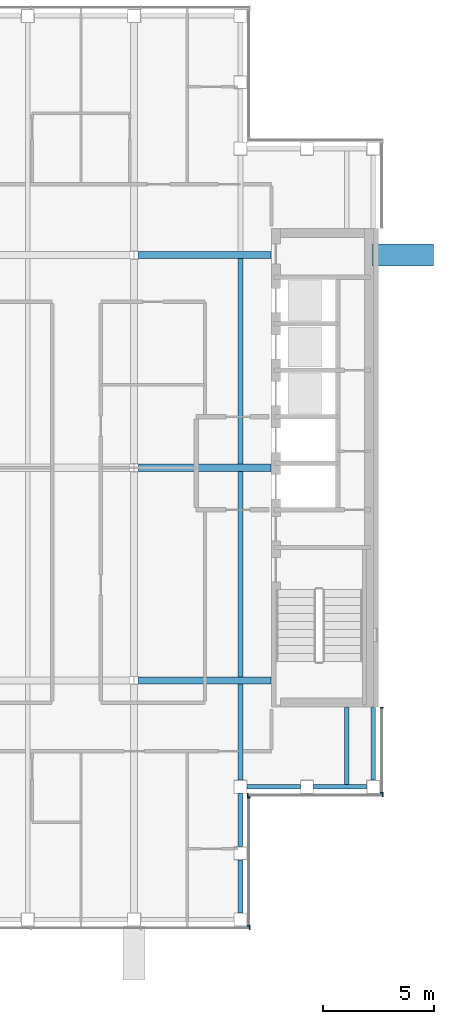
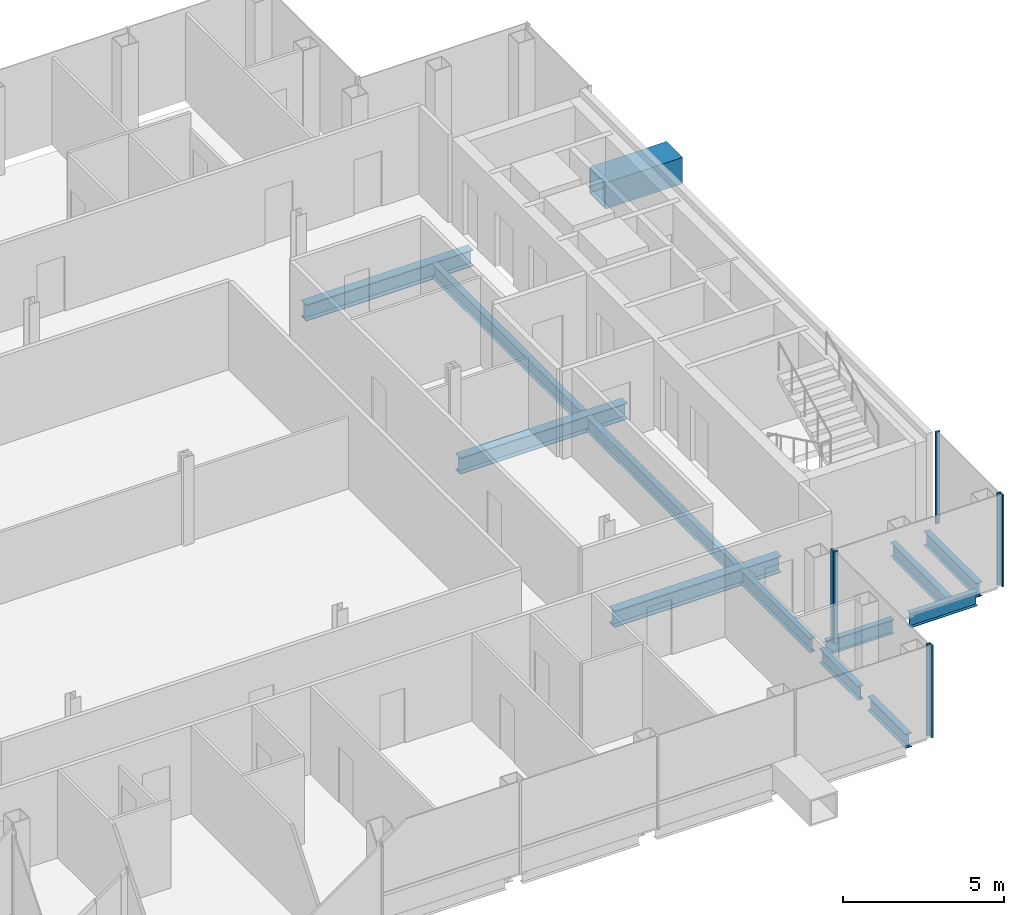
# One storey, part 6 of 15: 13 beams, 7 members, 4 elements without a shape of their own.
"""IFC4 building model written with IfcOpenShell, lengths in metres."""

import ifcopenshell
import ifcopenshell.guid

model = None  # the IFC model being written
_history = None  # IfcOwnerHistory: only IFC2X3 demands one
_inside = {}  # id of a spatial element -> (the spatial element, [elements in it])
_under = {}  # id of a project, library or spatial element -> (it, [spatial elements below it])
_declared = {}  # id of a project -> (the project, [libraries it declares])
_typed = {}  # id of a type object -> (the type object, [elements of that type])
_made_of = {}  # id of a material, layer set ... -> (it, [elements and type objects made of it])


def new_model(schema):
    """Start an empty IFC model of exactly this schema.

    Asked for "IFC4X3", IfcOpenShell would pick the latest addendum, in which some entities
    have other attributes; the version numbers below select the first issue.
    IFC2X3 requires an IfcOwnerHistory on every rooted entity: one is made here for all.
    """
    global model, _history
    if schema == "IFC4X3":
        model = ifcopenshell.file(schema_version=(4, 3, 0, 0))
    else:
        model = ifcopenshell.file(schema=schema)
    _inside.clear()
    _under.clear()
    _declared.clear()
    _typed.clear()
    _made_of.clear()
    _history = None
    if model.schema == "IFC2X3":
        org = make("IfcOrganization", Name="unknown")
        user = make(
            "IfcPersonAndOrganization",
            ThePerson=make("IfcPerson", FamilyName="unknown"),
            TheOrganization=org,
        )
        app = make(
            "IfcApplication",
            ApplicationDeveloper=org,
            Version="unknown",
            ApplicationFullName="unknown",
            ApplicationIdentifier="unknown",
        )
        _history = make(
            "IfcOwnerHistory",
            OwningUser=user,
            OwningApplication=app,
            ChangeAction="ADDED",
            CreationDate=0,
        )
    return model


def make(cls, **values):
    """One entity of the class cls with the attributes given. An attribute that is None is left unset."""
    return model.create_entity(
        cls, **{name: value for name, value in values.items() if value is not None}
    )


def rooted(cls, **values):
    """An entity with a GlobalId (a new one), such as an element, a storey or a relation."""
    return make(cls, GlobalId=ifcopenshell.guid.new(), OwnerHistory=_history, **values)


def si_unit(unit_type, name, prefix=None):
    """IfcSIUnit, for example si_unit("LENGTHUNIT", "METRE", prefix="MILLI")."""
    return make("IfcSIUnit", UnitType=unit_type, Prefix=prefix, Name=name)


def assignment(units):
    """IfcUnitAssignment: the units of a project."""
    return None if units is None else make("IfcUnitAssignment", Units=units)


def point(xyz):
    """IfcCartesianPoint."""
    return None if xyz is None else make("IfcCartesianPoint", Coordinates=xyz)


def direction(xyz):
    """IfcDirection."""
    return None if xyz is None else make("IfcDirection", DirectionRatios=xyz)


def frame(location, z_axis=None, x_axis=None):
    """IfcAxis2Placement3D, a coordinate frame: its origin and axes. An axis left out is left unset."""
    return make(
        "IfcAxis2Placement3D",
        Location=point(location),
        Axis=direction(z_axis),
        RefDirection=direction(x_axis),
    )


def frame_2d(location, x_axis=None):
    """IfcAxis2Placement2D, a coordinate frame in the plane: its origin and x axis."""
    return make(
        "IfcAxis2Placement2D", Location=point(location), RefDirection=direction(x_axis)
    )


def origin():
    """The frame at (0, 0, 0) with its axes left unset."""
    return frame((0.0, 0.0, 0.0))


def origin_2d():
    """The frame at (0, 0) in the plane with its x axis left unset."""
    return frame_2d((0.0, 0.0))


def place(relative_to, where):
    """IfcLocalPlacement: puts the frame where relative to a parent placement (None: the world)."""
    return make(
        "IfcLocalPlacement", PlacementRelTo=relative_to, RelativePlacement=where
    )


def context(
    kind, dimensions, precision=None, world=None, true_north=None, identifier=None
):
    """IfcGeometricRepresentationContext, for example the 3D "Model" context."""
    return make(
        "IfcGeometricRepresentationContext",
        ContextIdentifier=identifier,
        ContextType=kind,
        CoordinateSpaceDimension=dimensions,
        Precision=precision,
        WorldCoordinateSystem=world,
        TrueNorth=true_north,
    )


def subcontext(parent, identifier, kind, view, scale=None):
    """IfcGeometricRepresentationSubContext, for example "Body" below "Model"."""
    return make(
        "IfcGeometricRepresentationSubContext",
        ContextIdentifier=identifier,
        ContextType=kind,
        ParentContext=parent,
        TargetScale=scale,
        TargetView=view,
    )


def project(units=None, contexts=None):
    """IfcProject with its units and contexts."""
    return rooted(
        "IfcProject",
        Name="project",
        RepresentationContexts=contexts,
        UnitsInContext=assignment(units),
    )


def spatial(cls, under=None, at=None, **own):
    """A site, building, storey or space (cls), placed at a placement, below another one or the project."""
    s = rooted(cls, ObjectPlacement=at, **own)
    if under is not None:
        _under.setdefault(under.id(), (under, []))[1].append(s)
    return s


def profile(cls, at=None, kind="AREA", **sizes):
    """A parametric profile (cls). Its sizes go by their IFC names, for example OverallWidth=200.0."""
    return make(cls, ProfileType=kind, Position=at, **sizes)


def rectangle(**sizes):
    """IfcRectangleProfileDef."""
    return profile("IfcRectangleProfileDef", **sizes)


def hollow_rectangle(**sizes):
    """IfcRectangleHollowProfileDef."""
    return profile("IfcRectangleHollowProfileDef", **sizes)


def i_section(**sizes):
    """IfcIShapeProfileDef."""
    return profile("IfcIShapeProfileDef", **sizes)


def extrude(swept, where, along, depth):
    """IfcExtrudedAreaSolid: the profile swept, set in the frame where, extruded along a direction by depth."""
    return make(
        "IfcExtrudedAreaSolid",
        SweptArea=swept,
        Position=where,
        ExtrudedDirection=direction(along),
        Depth=depth,
    )


def shape(context_of_items, identifier, shape_type, items):
    """IfcShapeRepresentation: the items that make up one representation, for example the "Body"."""
    return make(
        "IfcShapeRepresentation",
        ContextOfItems=context_of_items,
        RepresentationIdentifier=identifier,
        RepresentationType=shape_type,
        Items=items,
    )


def material(Name=None, Category=None):
    """IfcMaterial."""
    return make("IfcMaterial", Name=Name, Category=Category)


def material_profile(
    of_material, cross_section, Name=None, Category=None, Priority=None
):
    """IfcMaterialProfile: a cross section and its material."""
    return make(
        "IfcMaterialProfile",
        Name=Name,
        Material=of_material,
        Profile=cross_section,
        Priority=Priority,
        Category=Category,
    )


def profile_set(profiles, Name=None, composite=None):
    """IfcMaterialProfileSet."""
    return make(
        "IfcMaterialProfileSet",
        Name=Name,
        MaterialProfiles=profiles,
        CompositeProfile=composite,
    )


def made_of(thing, what):
    """Note that an element or type object is made of a material, layer set ...; save() writes the relation."""
    if what is not None:
        _made_of.setdefault(what.id(), (what, []))[1].append(thing)
    return thing


def type_object(cls, material=None, **own):
    """A type object (cls), such as IfcWallType, which elements share."""
    return made_of(rooted(cls, **own), material)


def element(
    cls,
    number,
    at=None,
    inside=None,
    cuts=None,
    type_object=None,
    material=None,
    context=None,
    identifier="Body",
    shape_type=None,
    held_by="IfcProductDefinitionShape",
    body=None,
    shapes=None,
    **own,
):
    """One element of the class cls, such as IfcWall. Its Tag is "e" and its number.

    at: its placement. inside: the storey or other place that contains it. cuts: it is an
    opening in that element (IfcRelVoidsElement). A single representation is given by context,
    identifier, shape_type and body (its items); several are given by shapes. held_by: the class
    of the entity that holds the representations. save() writes the other relations.
    """
    e = rooted(cls, Tag="e%d" % number, ObjectPlacement=at, **own)
    if body is not None:
        shapes = [shape(context, identifier, shape_type, body)]
    if shapes is not None:
        e.Representation = make(held_by, Representations=shapes)
    if inside is not None:
        _inside.setdefault(inside.id(), (inside, []))[1].append(e)
    if cuts is not None:
        rooted(
            "IfcRelVoidsElement", RelatingBuildingElement=cuts, RelatedOpeningElement=e
        )
    if type_object is not None:
        _typed.setdefault(type_object.id(), (type_object, []))[1].append(e)
    return made_of(e, material)


def aggregate(whole, parts):
    """IfcRelAggregates: a whole, such as a stair, and the parts it consists of."""
    return rooted("IfcRelAggregates", RelatingObject=whole, RelatedObjects=parts)


def save(model, path):
    """Write the relations noted so far, then the file.

    IfcRelAggregates (storeys below a building ...), IfcRelContainedInSpatialStructure (elements
    in a storey), IfcRelDefinesByType, IfcRelAssociatesMaterial and IfcRelDeclares: one each for
    every whole, place, type object, material and project.
    """
    for whole, parts in _under.values():
        aggregate(whole, parts)
    for where, things in _inside.values():
        rooted(
            "IfcRelContainedInSpatialStructure",
            RelatedElements=things,
            RelatingStructure=where,
        )
    for kind, things in _typed.values():
        rooted("IfcRelDefinesByType", RelatedObjects=things, RelatingType=kind)
    for what, things in _made_of.values():
        rooted("IfcRelAssociatesMaterial", RelatedObjects=things, RelatingMaterial=what)
    for by, libraries in _declared.values():
        rooted("IfcRelDeclares", RelatingContext=by, RelatedDefinitions=libraries)
    model.write(path)


model = new_model("IFC4")

# Units and contexts
model_context = context("Model", 3, precision=1e-05, world=origin(), true_north=direction((0.0, 1.0)))
body_context = subcontext(model_context, "Body", "Model", "MODEL_VIEW")
ifc_project = project(units=[si_unit("LENGTHUNIT", "METRE"), si_unit("AREAUNIT", "SQUARE_METRE"), si_unit("VOLUMEUNIT", "CUBIC_METRE"), si_unit("PLANEANGLEUNIT", "RADIAN"), si_unit("MASSUNIT", "GRAM", prefix="KILO")], contexts=[model_context])

# Site, building, storey
site_placement = place(None, origin())
site = spatial("IfcSite", under=ifc_project, at=site_placement, CompositionType="ELEMENT")
building_placement = place(site_placement, origin())
building = spatial("IfcBuilding", under=site, at=building_placement, Name="Cobrizo Arcos Hotel Tower", CompositionType="ELEMENT")
storey_placement = place(building_placement, frame((0.0, 0.0, 258.5)))
storey = spatial("IfcBuildingStorey", under=building, at=storey_placement, Name="L68", CompositionType="ELEMENT", Elevation=258.5)

# Beam
ifc_material_1 = material(Name="Steel ASTM A572 Grade 50", Category="steel")
ifc_material_profile_1 = material_profile(ifc_material_1, hollow_rectangle(XDim=1.0, YDim=1.0, WallThickness=0.06005859375, at=origin_2d()), Name="BOX 1000X1000X60")
ifc_profile_set_1 = profile_set([ifc_material_profile_1], Name="Steel ASTM A572 Grade 50")
beam_type_1 = type_object("IfcBeamType", Name="BOX 1000X1000X60 brace connector strut", PredefinedType="BEAM", material=ifc_profile_set_1)
beam_1_placement = place(storey_placement, frame((20.35009765625, 9.60009765625, 0.5), z_axis=(1.0, 0.0, 0.0), x_axis=(0.0, 1.0, 0.0)))
element("IfcBeam", 1, at=beam_1_placement, inside=storey, type_object=beam_type_1, Name="Perimeter brace stub BS1, zone Z5, east face, offset +9.60 m, L68", PredefinedType="BEAM", context=body_context, shape_type="SweptSolid", body=[
    extrude(hollow_rectangle(XDim=1.0, YDim=1.0, WallThickness=0.06005859375, at=origin_2d()), origin(), (0.0, 0.0, 1.0), 2.77001953125),
])

# Curtain wall, member
ifc_material_2 = material(Name="Aluminium 6063-T6 anodised bronze", Category="aluminium")
curtain_wall_type = type_object("IfcCurtainWallType", Name="CW-A guest facade", PredefinedType="NOTDEFINED", material=ifc_material_2)
curtain_wall_1_placement = place(storey_placement, origin())
curtain_wall_1 = element("IfcCurtainWall", 2, at=curtain_wall_1_placement, inside=storey, type_object=curtain_wall_type, Name="CW-A L68 S face", PredefinedType="NOTDEFINED")
ifc_material_profile_2 = material_profile(ifc_material_2, rectangle(XDim=0.14990234375, YDim=0.06005859375, at=origin_2d()), Name="CW-A mullion 150x60")
ifc_profile_set_2 = profile_set([ifc_material_profile_2], Name="Aluminium 6063-T6 anodised bronze")
member_type = type_object("IfcMemberType", Name="CW-A mullion 150x60", PredefinedType="MULLION", material=ifc_profile_set_2)
member_1_placement = place(storey_placement, frame((14.820068359375, -20.77490234375, 0.0), z_axis=(0.0, 0.0, 1.0), x_axis=(0.0, -1.0, 0.0)))
member_1 = element("IfcMember", 3, at=member_1_placement, type_object=member_type, Name="CW-A mullion 7", PredefinedType="MULLION", context=body_context, shape_type="SweptSolid", body=[
    extrude(rectangle(XDim=0.14990234375, YDim=0.06005859375, at=origin_2d()), origin(), (0.0, 0.0, 1.0), 3.5),
])
aggregate(curtain_wall_1, [member_1])

# Curtain wall, members
curtain_wall_2_placement = place(storey_placement, origin())
curtain_wall_2 = element("IfcCurtainWall", 4, at=curtain_wall_2_placement, inside=storey, type_object=curtain_wall_type, Name="CW-A L68 E face", PredefinedType="NOTDEFINED")
member_2_placement = place(storey_placement, frame((14.77490234375, -20.669921875, 0.0), z_axis=(0.0, 0.0, 1.0), x_axis=(1.0, 0.0, 0.0)))
member_2 = element("IfcMember", 5, at=member_2_placement, type_object=member_type, Name="CW-A mullion 1", PredefinedType="MULLION", context=body_context, shape_type="SweptSolid", body=[
    extrude(rectangle(XDim=0.14990234375, YDim=0.06005859375, at=origin_2d()), origin(), (0.0, 0.0, 1.0), 3.5),
])
member_3_placement = place(storey_placement, frame((14.77490234375, -14.8798828125, 0.0), z_axis=(0.0, 0.0, 1.0), x_axis=(1.0, 0.0, 0.0)))
member_3 = element("IfcMember", 6, at=member_3_placement, type_object=member_type, Name="CW-A mullion 2", PredefinedType="MULLION", context=body_context, shape_type="SweptSolid", body=[
    extrude(rectangle(XDim=0.14990234375, YDim=0.06005859375, at=origin_2d()), origin(), (0.0, 0.0, 1.0), 3.5),
])
aggregate(curtain_wall_2, [member_2, member_3])

curtain_wall_3_placement = place(storey_placement, origin())
curtain_wall_3 = element("IfcCurtainWall", 7, at=curtain_wall_3_placement, inside=storey, type_object=curtain_wall_type, Name="CW-A L68 S face", PredefinedType="NOTDEFINED")
member_4_placement = place(storey_placement, frame((14.72998046875, -14.77490234375, 0.0), z_axis=(0.0, 0.0, 1.0), x_axis=(0.0, -1.0, 0.0)))
member_4 = element("IfcMember", 8, at=member_4_placement, type_object=member_type, Name="CW-A mullion 1", PredefinedType="MULLION", context=body_context, shape_type="SweptSolid", body=[
    extrude(rectangle(XDim=0.14990234375, YDim=0.06005859375, at=origin_2d()), origin(), (0.0, 0.0, 1.0), 3.5),
])
member_5_placement = place(storey_placement, frame((20.820068359375, -14.77490234375, 0.0), z_axis=(0.0, 0.0, 1.0), x_axis=(0.0, -1.0, 0.0)))
member_5 = element("IfcMember", 9, at=member_5_placement, type_object=member_type, Name="CW-A mullion 2", PredefinedType="MULLION", context=body_context, shape_type="SweptSolid", body=[
    extrude(rectangle(XDim=0.14990234375, YDim=0.06005859375, at=origin_2d()), origin(), (0.0, 0.0, 1.0), 3.5),
])
aggregate(curtain_wall_3, [member_4, member_5])

curtain_wall_4_placement = place(storey_placement, origin())
curtain_wall_4 = element("IfcCurtainWall", 10, at=curtain_wall_4_placement, inside=storey, type_object=curtain_wall_type, Name="CW-A L68 E face", PredefinedType="NOTDEFINED")
member_6_placement = place(storey_placement, frame((20.77490234375, -14.669921875, 0.0), z_axis=(0.0, 0.0, 1.0), x_axis=(1.0, 0.0, 0.0)))
member_6 = element("IfcMember", 11, at=member_6_placement, type_object=member_type, Name="CW-A mullion 1", PredefinedType="MULLION", context=body_context, shape_type="SweptSolid", body=[
    extrude(rectangle(XDim=0.14990234375, YDim=0.06005859375, at=origin_2d()), origin(), (0.0, 0.0, 1.0), 3.5),
])
member_7_placement = place(storey_placement, frame((20.77490234375, -10.830078125, 0.0), z_axis=(0.0, 0.0, 1.0), x_axis=(1.0, 0.0, 0.0)))
member_7 = element("IfcMember", 12, at=member_7_placement, type_object=member_type, Name="CW-A mullion 2", PredefinedType="MULLION", context=body_context, shape_type="SweptSolid", body=[
    extrude(rectangle(XDim=0.14990234375, YDim=0.06005859375, at=origin_2d()), origin(), (0.0, 0.0, 1.0), 3.5),
])
aggregate(curtain_wall_4, [member_6, member_7])

# Beams
ifc_material_3 = material(Name="Steel ASTM A992 Grade 50", Category="steel")
ifc_material_profile_3 = material_profile(ifc_material_3, i_section(OverallWidth=0.209228515625, OverallDepth=0.533447265625, WebThickness=0.01025390625, FlangeThickness=0.015625, at=origin_2d()), Name="W21X62")
ifc_profile_set_3 = profile_set([ifc_material_profile_3], Name="Steel ASTM A992 Grade 50")
beam_type_2 = type_object("IfcBeamType", Name="W21X62 joist", PredefinedType="JOIST", material=ifc_profile_set_3)
beam_2_placement = place(storey_placement, frame((14.39990234375, -14.10009765625, -0.416748046875), z_axis=(0.0, 1.0, 0.0), x_axis=(-1.0, 0.0, 0.0)))
element("IfcBeam", 13, at=beam_2_placement, inside=storey, type_object=beam_type_2, Name="Floor joist J1, L68, no. 015", PredefinedType="JOIST", context=body_context, shape_type="SweptSolid", body=[
    extrude(i_section(OverallWidth=0.209228515625, OverallDepth=0.533447265625, WebThickness=0.01025390625, FlangeThickness=0.015625, at=origin_2d()), origin(), (0.0, 0.0, 1.0), 4.336181640625),
])
for number, where, z_axis, x_axis, name in (
    (14, (14.39990234375, -9.43603515625, -0.416748046875), (0.0, 1.0, 0.0), (-1.0, 0.0, 0.0), "Floor joist J1, L68, no. 016"),
    (15, (14.39990234375, 0.163818359375, -0.416748046875), (0.0, 1.0, 0.0), (-1.0, 0.0, 0.0), "Floor joist J1, L68, no. 017"),
):
    element("IfcBeam", number, at=place(storey_placement, frame(where, z_axis=z_axis, x_axis=x_axis)), inside=storey, type_object=beam_type_2, Name=name, PredefinedType="JOIST", context=body_context, shape_type="SweptSolid", body=[
        extrude(i_section(OverallWidth=0.209228515625, OverallDepth=0.533447265625, WebThickness=0.01025390625, FlangeThickness=0.015625, at=origin_2d()), origin(), (0.0, 0.0, 1.0), 9.272216796875),
    ])
beam_3_placement = place(storey_placement, frame((19.199951171875, -14.31005859375, -0.416748046875), z_axis=(0.0, 1.0, 0.0), x_axis=(-1.0, 0.0, 0.0)))
element("IfcBeam", 16, at=beam_3_placement, inside=storey, type_object=beam_type_2, Name="Floor joist J1, L68, no. 019", PredefinedType="JOIST", context=body_context, shape_type="SweptSolid", body=[
    extrude(i_section(OverallWidth=0.209228515625, OverallDepth=0.533447265625, WebThickness=0.01025390625, FlangeThickness=0.015625, at=origin_2d()), origin(), (0.0, 0.0, 1.0), 3.5),
])
ifc_material_profile_4 = material_profile(ifc_material_3, i_section(OverallWidth=0.209228515625, OverallDepth=0.533447265625, WebThickness=0.01025390625, FlangeThickness=0.015625, at=origin_2d()), Name="W21X62")
ifc_profile_set_4 = profile_set([ifc_material_profile_4], Name="Steel ASTM A992 Grade 50")
beam_type_3 = type_object("IfcBeamType", Name="W21X62 spandrel", PredefinedType="SPANDREL", material=ifc_profile_set_4)
for number, where, z_axis, x_axis, name in (
    (17, (14.39990234375, -20.10009765625, -0.416748046875), (0.0, 1.0, 0.0), (-1.0, 0.0, 0.0), "Spandrel beam W21X62, L68, no. 007"),
    (18, (14.39990234375, -17.10009765625, -0.416748046875), (0.0, 1.0, 0.0), (-1.0, 0.0, 0.0), "Spandrel beam W21X62, L68, no. 008"),
    (19, (14.699951171875, -14.39990234375, -0.416748046875), (1.0, 0.0, 0.0), (0.0, 1.0, 0.0), "Spandrel beam W21X62, L68, no. 009"),
    (20, (17.699951171875, -14.39990234375, -0.416748046875), (1.0, 0.0, 0.0), (0.0, 1.0, 0.0), "Spandrel beam W21X62, L68, no. 010"),
):
    element("IfcBeam", number, at=place(storey_placement, frame(where, z_axis=z_axis, x_axis=x_axis)), inside=storey, type_object=beam_type_3, Name=name, PredefinedType="SPANDREL", context=body_context, shape_type="SweptSolid", body=[
        extrude(i_section(OverallWidth=0.209228515625, OverallDepth=0.533447265625, WebThickness=0.01025390625, FlangeThickness=0.015625, at=origin_2d()), origin(), (0.0, 0.0, 1.0), 2.400146484375),
    ])
beam_4_placement = place(storey_placement, frame((20.39990234375, -14.10009765625, -0.416748046875), z_axis=(0.0, 1.0, 0.0), x_axis=(-1.0, 0.0, 0.0)))
element("IfcBeam", 21, at=beam_4_placement, inside=storey, type_object=beam_type_3, Name="Spandrel beam W21X62, L68, no. 011", PredefinedType="SPANDREL", context=body_context, shape_type="SweptSolid", body=[
    extrude(i_section(OverallWidth=0.209228515625, OverallDepth=0.533447265625, WebThickness=0.01025390625, FlangeThickness=0.015625, at=origin_2d()), origin(), (0.0, 0.0, 1.0), 3.2900390625),
])
ifc_material_profile_5 = material_profile(ifc_material_3, i_section(OverallWidth=0.32763671875, OverallDepth=0.622314453125, WebThickness=0.015380859375, FlangeThickness=0.0244140625, at=origin_2d()), Name="W24X131")
ifc_profile_set_5 = profile_set([ifc_material_profile_5], Name="Steel ASTM A992 Grade 50")
beam_type_4 = type_object("IfcBeamType", Name="W24X131 girder", PredefinedType="BEAM", material=ifc_profile_set_5)
for number, where, z_axis, x_axis, name in (
    (22, (9.7841796875, -9.60009765625, -0.461181640625), (1.0, 0.0, 0.0), (0.0, 1.0, 0.0), "Floor girder G1, L68, no. 004"),
    (23, (9.7841796875, 0.0, -0.461181640625), (1.0, 0.0, 0.0), (0.0, 1.0, 0.0), "Floor girder G1, L68, no. 008"),
    (24, (9.7841796875, 9.60009765625, -0.461181640625), (1.0, 0.0, 0.0), (0.0, 1.0, 0.0), "Floor girder G1, L68, no. 012"),
):
    element("IfcBeam", number, at=place(storey_placement, frame(where, z_axis=z_axis, x_axis=x_axis)), inside=storey, type_object=beam_type_4, Name=name, PredefinedType="BEAM", context=body_context, shape_type="SweptSolid", body=[
        extrude(i_section(OverallWidth=0.32763671875, OverallDepth=0.622314453125, WebThickness=0.015380859375, FlangeThickness=0.0244140625, at=origin_2d()), origin(), (0.0, 0.0, 1.0), 6.005859375),
    ])

save(model, "model.ifc")
